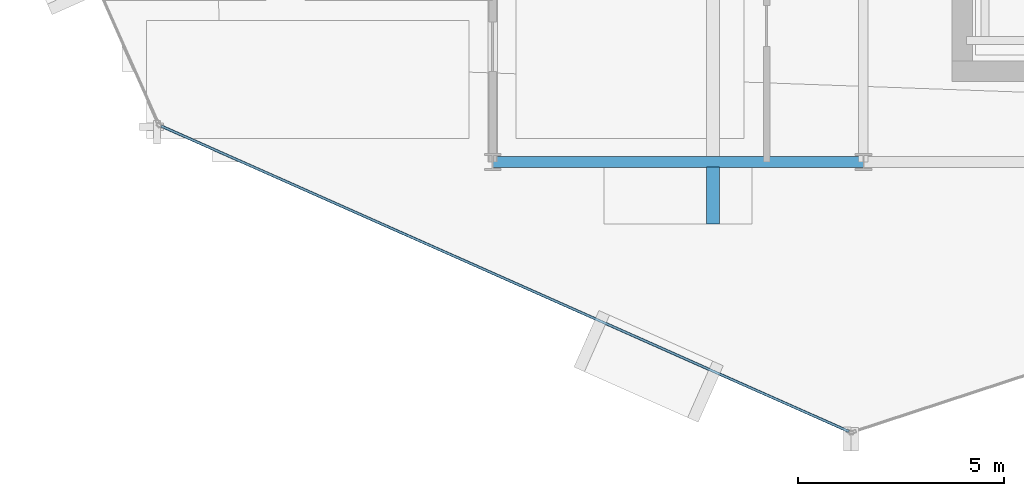
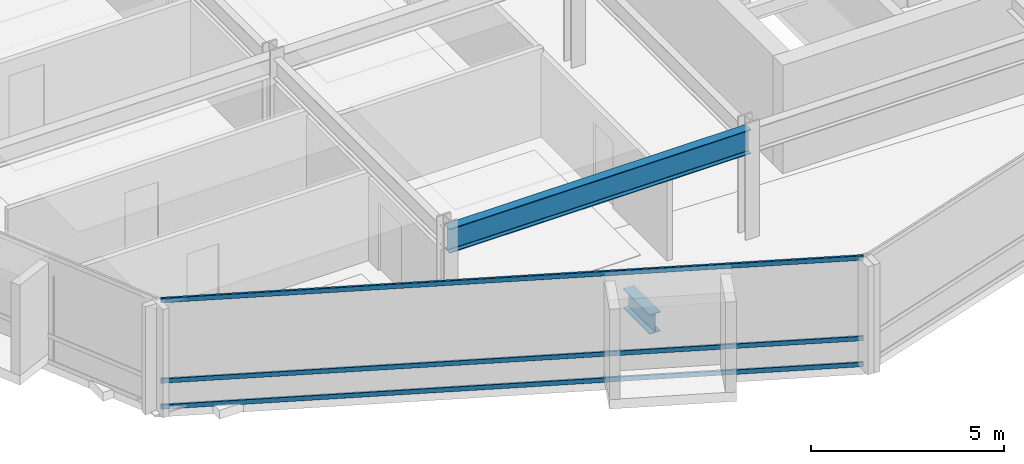
# One storey, part 3 of 27: 3 members, 2 beams, 1 element without a shape of its own.
"""IFC4 building model written with IfcOpenShell, lengths in metres."""

from ifc_helpers import new_model, si_unit, direction, frame, origin, origin_2d, place, context, subcontext, project, spatial, hollow_rectangle, i_section, extrude, material, layer, layer_set, material_profile, profile_set, type_object, element, aggregate, save


model = new_model("IFC4")

# Units and contexts
model_context = context("Model", 3, precision=1e-05, world=origin(), true_north=direction((0.0, 1.0)))
body_context = subcontext(model_context, "Body", "Model", "MODEL_VIEW")
ifc_project = project(units=[si_unit("LENGTHUNIT", "METRE"), si_unit("AREAUNIT", "SQUARE_METRE"), si_unit("VOLUMEUNIT", "CUBIC_METRE"), si_unit("PLANEANGLEUNIT", "RADIAN"), si_unit("MASSUNIT", "GRAM", prefix="KILO")], contexts=[model_context])

# Site, building, storey
site_placement = place(None, origin())
site = spatial("IfcSite", under=ifc_project, at=site_placement, CompositionType="ELEMENT")
building_placement = place(site_placement, origin())
building = spatial("IfcBuilding", under=site, at=building_placement, Name="Solvaryn Broadcast Tower", CompositionType="ELEMENT")
storey_placement = place(building_placement, frame((0.0, 0.0, 181.60009765625)))
storey = spatial("IfcBuildingStorey", under=building, at=storey_placement, Name="L45", CompositionType="ELEMENT", Elevation=181.60009765625)

# Beams
ifc_material_1 = material(Name="Steel ASTM A992 Grade 50", Category="steel")
ifc_material_profile_1 = material_profile(ifc_material_1, i_section(OverallWidth=0.323974609375, OverallDepth=0.611083984375, WebThickness=0.0126953125, FlangeThickness=0.01904296875, FilletRadius=0.014892578125, at=origin_2d()))
ifc_profile_set_1 = profile_set([ifc_material_profile_1], Name="Steel ASTM A992 Grade 50")
beam_type_1 = type_object("IfcBeamType", Name="BM-CANT-TER", PredefinedType="BEAM", material=ifc_profile_set_1)
beam_1_placement = place(storey_placement, frame((23.35009765625, 8.875, -0.585693359375), z_axis=(0.0, -1.0, 0.0), x_axis=(1.0, 0.0, 0.0)))
element("IfcBeam", 1, at=beam_1_placement, inside=storey, type_object=beam_type_1, Name="L45 Bay-Box Cantilever Bracket 1", PredefinedType="BEAM", context=body_context, shape_type="SweptSolid", body=[
    extrude(i_section(OverallWidth=0.323974609375, OverallDepth=0.611083984375, WebThickness=0.0126953125, FlangeThickness=0.01904296875, FilletRadius=0.014892578125, at=origin_2d()), origin(), (0.0, 0.0, 1.0), 1.375),
])
ifc_material_2 = material(Name="Steel ASTM A992 Grade 50", Category="steel")
ifc_material_profile_2 = material_profile(ifc_material_2, i_section(OverallWidth=0.26708984375, OverallDepth=0.76611328125, WebThickness=0.014892578125, FlangeThickness=0.023681640625, FilletRadius=0.01806640625, at=origin_2d()))
ifc_profile_set_2 = profile_set([ifc_material_profile_2], Name="Steel ASTM A992 Grade 50")
beam_type_2 = type_object("IfcBeamType", Name="BM-SP2-W30X124", PredefinedType="USERDEFINED", material=ifc_profile_set_2)
beam_2_placement = place(storey_placement, frame((18.0, 9.0, 3.036865234375), z_axis=(1.0, 0.0, 0.0), x_axis=(0.0, 1.0, 0.0)))
element("IfcBeam", 2, at=beam_2_placement, inside=storey, type_object=beam_type_2, Name="L45 Spandrel Beam X (18-27 @ Y=9)", ObjectType="SPANDREL", PredefinedType="USERDEFINED", context=body_context, shape_type="SweptSolid", body=[
    extrude(i_section(OverallWidth=0.26708984375, OverallDepth=0.76611328125, WebThickness=0.014892578125, FlangeThickness=0.023681640625, FilletRadius=0.01806640625, at=origin_2d()), origin(), (0.0, 0.0, 1.0), 9.0),
])

# Curtain wall, members
ifc_material_3 = material(Name="Aluminium and Terracotta Unitised Curtain Wall", Category="masonry")
ifc_layer = layer(ifc_material_3, 0.199951171875)
ifc_layer_set = layer_set([ifc_layer], Name="CW-SYS2-LOWMID")
curtain_wall_type = type_object("IfcCurtainWallType", Name="CW-SYS2-LOWMID", PredefinedType="NOTDEFINED", material=ifc_layer_set)
curtain_wall_placement = place(storey_placement, origin())
curtain_wall = element("IfcCurtainWall", 3, at=curtain_wall_placement, inside=storey, type_object=curtain_wall_type, Name="L45 Curtain Wall DR3", PredefinedType="NOTDEFINED")
ifc_material_4 = material(Name="Anodised Aluminium 6063-T6", Category="aluminium")
ifc_material_profile_3 = material_profile(ifc_material_4, hollow_rectangle(XDim=0.06494140625, YDim=0.14990234375, WallThickness=0.00390625, InnerFilletRadius=0.00390625, OuterFilletRadius=0.008056640625, at=origin_2d()))
ifc_profile_set_3 = profile_set([ifc_material_profile_3], Name="Anodised Aluminium 6063-T6")
member_type = type_object("IfcMemberType", Name="CW-TRN-150", PredefinedType="USERDEFINED", material=ifc_profile_set_3)
member_1_placement = place(storey_placement, frame((9.952880859375, 9.87353515625, 0.02978515625), z_axis=(0.913916761992, -0.405901653299, 0.0), x_axis=(0.405901653299, 0.913916761992, 0.0)))
member_1 = element("IfcMember", 4, at=member_1_placement, type_object=member_type, Name="CWS2 transom 1.1", ObjectType="TRANSOM", PredefinedType="USERDEFINED", context=body_context, shape_type="SweptSolid", body=[
    extrude(hollow_rectangle(XDim=0.06494140625, YDim=0.14990234375, WallThickness=0.00390625, InnerFilletRadius=0.00390625, OuterFilletRadius=0.008056640625, at=origin_2d()), origin(), (0.0, 0.0, 1.0), 18.27099609375),
])
member_2_placement = place(storey_placement, frame((9.952880859375, 9.87353515625, 0.849853515625), z_axis=(0.913916761992, -0.405901653299, 0.0), x_axis=(0.405901653299, 0.913916761992, 0.0)))
member_2 = element("IfcMember", 5, at=member_2_placement, type_object=member_type, Name="CWS2 transom 1.2", ObjectType="TRANSOM", PredefinedType="USERDEFINED", context=body_context, shape_type="SweptSolid", body=[
    extrude(hollow_rectangle(XDim=0.06494140625, YDim=0.14990234375, WallThickness=0.00390625, InnerFilletRadius=0.00390625, OuterFilletRadius=0.008056640625, at=origin_2d()), origin(), (0.0, 0.0, 1.0), 18.27099609375),
])
member_3_placement = place(storey_placement, frame((9.952880859375, 9.87353515625, 3.389892578125), z_axis=(0.913916761992, -0.405901653299, 0.0), x_axis=(0.405901653299, 0.913916761992, 0.0)))
member_3 = element("IfcMember", 6, at=member_3_placement, type_object=member_type, Name="CWS2 transom 1.3", ObjectType="TRANSOM", PredefinedType="USERDEFINED", context=body_context, shape_type="SweptSolid", body=[
    extrude(hollow_rectangle(XDim=0.06494140625, YDim=0.14990234375, WallThickness=0.00390625, InnerFilletRadius=0.00390625, OuterFilletRadius=0.008056640625, at=origin_2d()), origin(), (0.0, 0.0, 1.0), 18.27099609375),
])
aggregate(curtain_wall, [member_1, member_2, member_3])

save(model, "model.ifc")
